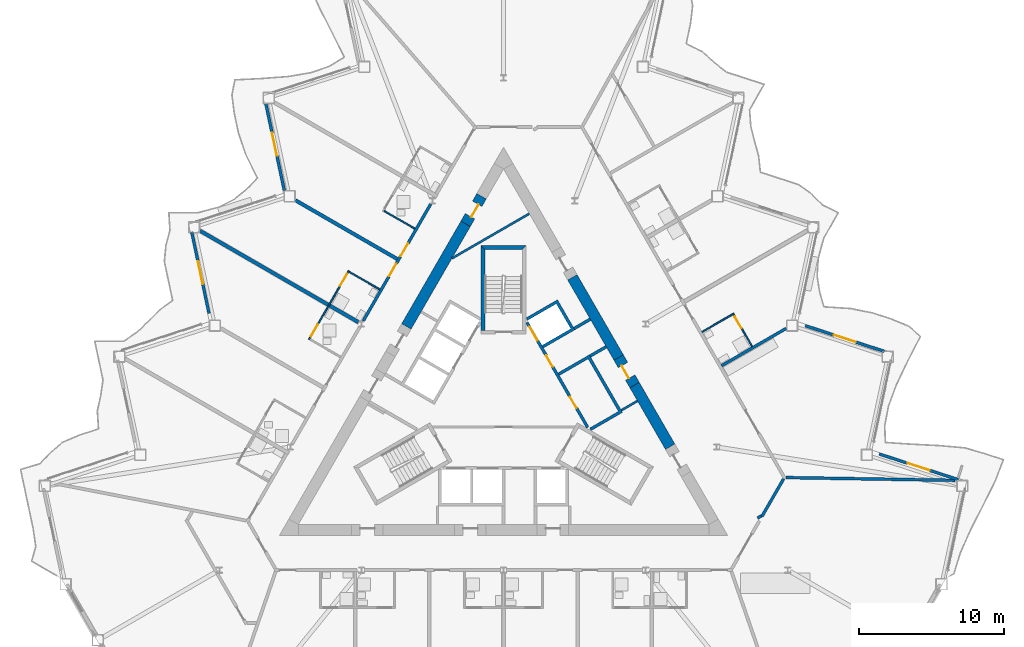
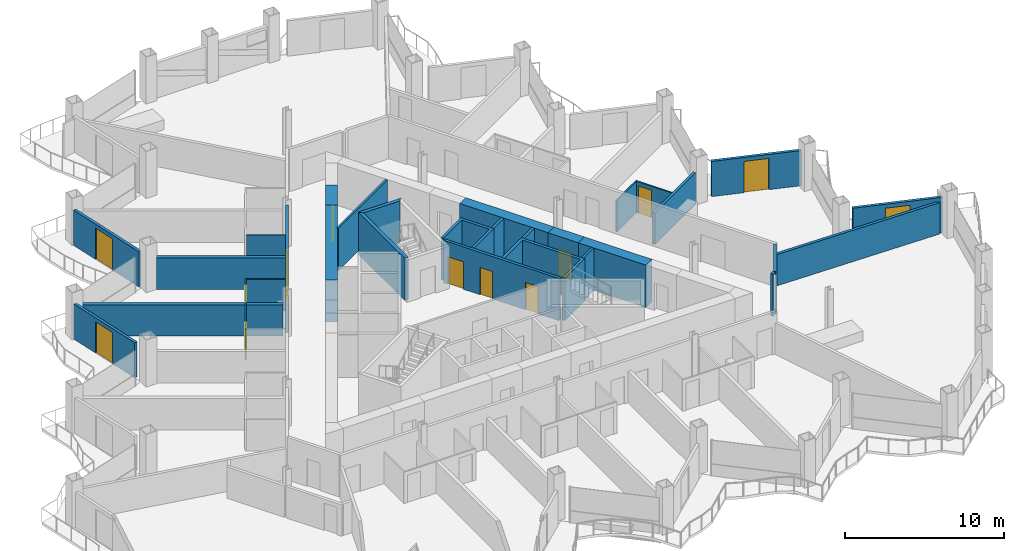
# One storey, part 13 of 23: 30 walls, 14 doors, 14 openings.
"""IFC4 building model written with IfcOpenShell, lengths in metres."""

from ifc_helpers import new_model, si_unit, direction, frame, frame_2d, origin, place, context, subcontext, project, spatial, polyline, rectangle, outline, extrude, material, layer, layer_set, type_object, element, fill, save


model = new_model("IFC4")

# Units and contexts
model_context = context("Model", 3, precision=1e-05, world=origin(), true_north=direction((0.0, 1.0)))
body_context = subcontext(model_context, "Body", "Model", "MODEL_VIEW")
ifc_project = project(units=[si_unit("LENGTHUNIT", "METRE"), si_unit("AREAUNIT", "SQUARE_METRE"), si_unit("VOLUMEUNIT", "CUBIC_METRE"), si_unit("PLANEANGLEUNIT", "RADIAN"), si_unit("MASSUNIT", "GRAM", prefix="KILO")], contexts=[model_context])

# Site, building, storey
site_placement = place(None, origin())
site = spatial("IfcSite", under=ifc_project, at=site_placement, CompositionType="ELEMENT")
building_placement = place(site_placement, origin())
building = spatial("IfcBuilding", under=site, at=building_placement, Name="Cormorant Prow Tower", CompositionType="ELEMENT")
storey_placement = place(building_placement, frame((0.0, 0.0, 183.60009765625)))
storey = spatial("IfcBuildingStorey", under=building, at=storey_placement, Name="L39", CompositionType="ELEMENT", Elevation=183.60009765625)

# Walls
ifc_material_1 = material(Name="Gypsum board partition")
ifc_layer_1 = layer(ifc_material_1, 0.14990234375)
ifc_layer_set_1 = layer_set([ifc_layer_1], Name="Gypsum board partition")
wall_type_1 = type_object("IfcWallType", Name="Core partition 150", PredefinedType="PARTITIONING", material=ifc_layer_set_1)
wall_1_placement = place(storey_placement, frame((9.265625, 0.349365234375, 0.0), z_axis=(0.0, 0.0, 1.0), x_axis=(-0.866003189247, -0.500038474733, 0.0)))
element("IfcWall", 1, at=wall_1_placement, inside=storey, type_object=wall_type_1, Name="Service room partition", PredefinedType="PARTITIONING", context=body_context, shape_type="SweptSolid", body=[
    extrude(rectangle(XDim=1.29296875, YDim=0.14990234375, at=frame_2d((0.646484375, 0.0))), origin(), (0.0, 0.0, 1.0), 3.25),
])
wall_2_placement = place(storey_placement, frame((1.78515625, 13.305908203125, 0.0), z_axis=(0.0, 0.0, 1.0), x_axis=(-0.866038319186, -0.499977629202, 0.0)))
element("IfcWall", 2, at=wall_2_placement, inside=storey, type_object=wall_type_1, Name="Service room partition", PredefinedType="PARTITIONING", context=body_context, shape_type="SweptSolid", body=[
    extrude(rectangle(XDim=6.183837890625, YDim=0.14990234375, at=frame_2d((3.091796875, 0.0))), origin(), (0.0, 0.0, 1.0), 3.25),
])
ifc_material_2 = material(Name="Concrete 8000 psi", Category="concrete")
ifc_layer_2 = layer(ifc_material_2, 0.75)
ifc_layer_set_2 = layer_set([ifc_layer_2], Name="Concrete 8000 psi")
wall_type_2 = type_object("IfcWallType", Name="Core shear wall 750", PredefinedType="SHEAR", material=ifc_layer_set_2)
wall_3_placement = place(storey_placement, frame((7.964111328125, 3.353759765625, 0.0), z_axis=(0.0, 0.0, 1.0), x_axis=(-0.50002928721, 0.866008494146, 0.0)))
element("IfcWall", 3, at=wall_3_placement, inside=storey, type_object=wall_type_2, Name="Core wall", PredefinedType="SHEAR", context=body_context, shape_type="SweptSolid", body=[
    extrude(rectangle(XDim=6.4052734375, YDim=0.75, at=frame_2d((3.20263671875, 0.0))), origin(), (0.0, 0.0, 1.0), 3.25),
])
wall_4_placement = place(storey_placement, frame((11.52685546875, -2.817138671875, 0.0), z_axis=(0.0, 0.0, 1.0), x_axis=(-0.50001992892, 0.866013897511, 0.0)))
element("IfcWall", 4, at=wall_4_placement, inside=storey, type_object=wall_type_2, Name="Core wall", PredefinedType="SHEAR", context=body_context, shape_type="SweptSolid", body=[
    extrude(rectangle(XDim=4.925537109375, YDim=0.75, at=frame_2d((2.462890625, 0.0))), origin(), (0.0, 0.0, 1.0), 3.25),
])
wall_5_placement = place(storey_placement, frame((-2.622314453125, 12.605712890625, 0.0), z_axis=(0.0, 0.0, 1.0), x_axis=(-0.500014611105, -0.866016967894, 0.0)))
element("IfcWall", 5, at=wall_5_placement, inside=storey, type_object=wall_type_2, Name="Core wall", PredefinedType="SHEAR", context=body_context, shape_type="SweptSolid", body=[
    extrude(rectangle(XDim=8.197998046875, YDim=0.75, at=frame_2d((4.09912109375, 0.0))), origin(), (0.0, 0.0, 1.0), 3.25),
])

# Wall, opening, door
wall_6_placement = place(storey_placement, frame((9.064208984375, 1.448486328125, 0.0), z_axis=(0.0, 0.0, 1.0), x_axis=(-0.50002983664, 0.866008176907, 0.0)))
wall_6 = element("IfcWall", 6, at=wall_6_placement, inside=storey, type_object=wall_type_2, Name="Core wall door panel", PredefinedType="SHEAR", context=body_context, shape_type="SweptSolid", body=[
    extrude(rectangle(XDim=2.199951171875, YDim=0.75, at=frame_2d((1.10009765625, 0.0))), origin(), (0.0, 0.0, 1.0), 3.25),
])
opening_1_placement = place(wall_6_placement, frame((0.60009765625, 0.0, 0.0)))
opening_1 = element("IfcOpeningElement", 7, at=opening_1_placement, cuts=wall_6, Name="Opening L39-C18", PredefinedType="OPENING", context=body_context, shape_type="SweptSolid", body=[
    extrude(rectangle(XDim=1.0, YDim=2.10009765625, at=frame_2d((0.5, 1.050048828125))), frame((0.0, 0.385009765625, 0.0), z_axis=(0.0, -1.0, 0.0), x_axis=(1.0, 0.0, 0.0)), (0.0, 0.0, 1.0), 0.77001953125),
])
ifc_material_3 = material(Name="Painted steel", Category="steel")
door_type_1 = type_object("IfcDoorType", Name="Service door 1000x2100", OperationType="NOTDEFINED", PredefinedType="DOOR", material=ifc_material_3)
door_1_placement = place(opening_1_placement, origin())
door_1 = element("IfcDoor", 8, at=door_1_placement, inside=storey, type_object=door_type_1, Name="Core door, Housekeeping store", OperationType="SINGLE_SWING_LEFT", OverallHeight=2.10009765625, OverallWidth=1.0, PredefinedType="DOOR", context=body_context, shape_type="SweptSolid", body=[
    extrude(rectangle(XDim=1.0, YDim=2.10009765625, at=frame_2d((0.5, 1.050048828125))), frame((0.0, 0.1298828125, 0.0), z_axis=(0.0, -1.0, 0.0), x_axis=(1.0, 0.0, 0.0)), (0.0, 0.0, 1.0), 0.050048828125),
])
fill(opening_1, door_1)

wall_7_placement = place(storey_placement, frame((-1.5224609375, 14.510986328125, 0.0), z_axis=(0.0, 0.0, 1.0), x_axis=(-0.499946605688, -0.86605622881, 0.0)))
wall_7 = element("IfcWall", 9, at=wall_7_placement, inside=storey, type_object=wall_type_2, Name="Core wall door panel", PredefinedType="SHEAR", context=body_context, shape_type="SweptSolid", body=[
    extrude(rectangle(XDim=2.199951171875, YDim=0.75, at=frame_2d((1.10009765625, 0.0))), origin(), (0.0, 0.0, 1.0), 3.25),
])
opening_2_placement = place(wall_7_placement, frame((0.60009765625, 0.0, 0.0)))
opening_2 = element("IfcOpeningElement", 10, at=opening_2_placement, cuts=wall_7, Name="Opening L39-C21", PredefinedType="OPENING", context=body_context, shape_type="SweptSolid", body=[
    extrude(rectangle(XDim=1.0, YDim=2.10009765625, at=frame_2d((0.5, 1.050048828125))), frame((0.0, 0.385009765625, 0.0), z_axis=(0.0, -1.0, 0.0), x_axis=(1.0, 0.0, 0.0)), (0.0, 0.0, 1.0), 0.77001953125),
])
door_2_placement = place(opening_2_placement, origin())
door_2 = element("IfcDoor", 11, at=door_2_placement, inside=storey, type_object=door_type_1, Name="Core door, Refuse store", OperationType="SINGLE_SWING_RIGHT", OverallHeight=2.10009765625, OverallWidth=1.0, PredefinedType="DOOR", context=body_context, shape_type="SweptSolid", body=[
    extrude(rectangle(XDim=1.0, YDim=2.10009765625, at=frame_2d((0.5, 1.050048828125))), frame((0.0, 0.1298828125, 0.0), z_axis=(0.0, -1.0, 0.0), x_axis=(1.0, 0.0, 0.0)), (0.0, 0.0, 1.0), 0.050048828125),
])
fill(opening_2, door_2)

# Wall, openings, doors
ifc_material_4 = material(Name="Gypsum board corridor wall")
ifc_layer_3 = layer(ifc_material_4, 0.199951171875)
ifc_layer_set_3 = layer_set([ifc_layer_3], Name="Gypsum board corridor wall")
wall_type_3 = type_object("IfcWallType", Name="Corridor wall 200", PredefinedType="PARTITIONING", material=ifc_layer_set_3)
wall_8_placement = place(storey_placement, frame((-9.705078125, 5.88818359375, 0.0), z_axis=(0.0, 0.0, 1.0), x_axis=(0.50000393355, 0.866023132736, 0.0)))
wall_8 = element("IfcWall", 12, at=wall_8_placement, inside=storey, type_object=wall_type_3, Name="Corridor wall", PredefinedType="PARTITIONING", context=body_context, shape_type="SweptSolid", body=[
    extrude(rectangle(XDim=9.3349609375, YDim=0.199951171875, at=frame_2d((4.66748046875, 0.0))), origin(), (0.0, 0.0, 1.0), 3.25),
])
opening_3_placement = place(wall_8_placement, frame((5.171875, 0.0, 0.0)))
opening_3 = element("IfcOpeningElement", 13, at=opening_3_placement, cuts=wall_8, Name="Opening L39-F26", PredefinedType="OPENING", context=body_context, shape_type="SweptSolid", body=[
    extrude(rectangle(XDim=1.0, YDim=2.10009765625, at=frame_2d((0.5, 1.050048828125))), frame((0.0, 0.10986328125, 0.0), z_axis=(0.0, -1.0, 0.0), x_axis=(1.0, 0.0, 0.0)), (0.0, 0.0, 1.0), 0.219970703125),
])
opening_4_placement = place(wall_8_placement, frame((3.564697265625, 0.0, 0.0)))
opening_4 = element("IfcOpeningElement", 14, at=opening_4_placement, cuts=wall_8, Name="Opening L39-F28", PredefinedType="OPENING", context=body_context, shape_type="SweptSolid", body=[
    extrude(rectangle(XDim=1.0, YDim=2.10009765625, at=frame_2d((0.5, 1.050048828125))), frame((0.0, 0.10986328125, 0.0), z_axis=(0.0, -1.0, 0.0), x_axis=(1.0, 0.0, 0.0)), (0.0, 0.0, 1.0), 0.219970703125),
])
ifc_material_5 = material(Name="Timber door leaf", Category="wood")
door_type_2 = type_object("IfcDoorType", Name="Flat or room entrance door 1000x2100", OperationType="NOTDEFINED", PredefinedType="DOOR", material=ifc_material_5)
door_3_placement = place(opening_3_placement, origin())
door_3 = element("IfcDoor", 15, at=door_3_placement, inside=storey, type_object=door_type_2, Name="Guest room door", OperationType="SINGLE_SWING_LEFT", OverallHeight=2.10009765625, OverallWidth=1.0, PredefinedType="DOOR", context=body_context, shape_type="SweptSolid", body=[
    extrude(rectangle(XDim=1.0, YDim=2.10009765625, at=frame_2d((0.5, 1.050048828125))), frame((0.0, 0.02490234375, 0.0), z_axis=(0.0, -1.0, 0.0), x_axis=(1.0, 0.0, 0.0)), (0.0, 0.0, 1.0), 0.050048828125),
])
fill(opening_3, door_3)
door_4_placement = place(opening_4_placement, origin())
door_4 = element("IfcDoor", 16, at=door_4_placement, inside=storey, type_object=door_type_2, Name="Guest room door", OperationType="SINGLE_SWING_RIGHT", OverallHeight=2.10009765625, OverallWidth=1.0, PredefinedType="DOOR", context=body_context, shape_type="SweptSolid", body=[
    extrude(rectangle(XDim=1.0, YDim=2.10009765625, at=frame_2d((0.5, 1.050048828125))), frame((0.0, 0.02490234375, 0.0), z_axis=(0.0, -1.0, 0.0), x_axis=(1.0, 0.0, 0.0)), (0.0, 0.0, 1.0), 0.050048828125),
])
fill(opening_4, door_4)

# Walls
wall_9_placement = place(storey_placement, frame((17.875, -7.635498046875, 0.0), z_axis=(0.0, 0.0, 1.0), x_axis=(0.499952404951, 0.866052881055, 0.0)))
element("IfcWall", 17, at=wall_9_placement, inside=storey, type_object=wall_type_3, Name="Corridor wall", PredefinedType="PARTITIONING", context=body_context, shape_type="SweptSolid", body=[
    extrude(rectangle(XDim=3.002197265625, YDim=0.199951171875, at=frame_2d((1.5009765625, 0.0))), origin(), (0.0, 0.0, 1.0), 3.25),
])
wall_10_placement = place(storey_placement, frame((17.56982421875, -7.75390625, 0.0), z_axis=(0.0, 0.0, 1.0), x_axis=(0.866054481515, 0.499949632511, 0.0)))
element("IfcWall", 18, at=wall_10_placement, inside=storey, type_object=wall_type_3, Name="Corridor wall", PredefinedType="PARTITIONING", context=body_context, shape_type="SweptSolid", body=[
    extrude(rectangle(XDim=0.31005859375, YDim=0.199951171875, at=frame_2d((0.155029296875, 0.0))), origin(), (0.0, 0.0, 1.0), 3.25),
])
ifc_material_6 = material(Name="Gypsum board demising wall")
ifc_layer_4 = layer(ifc_material_6, 0.199951171875)
ifc_layer_set_4 = layer_set([ifc_layer_4], Name="Gypsum board demising wall")
wall_type_4 = type_object("IfcWallType", Name="Demising wall 200", PredefinedType="PARTITIONING", material=ifc_layer_set_4)
wall_11_placement = place(storey_placement, frame((19.52587890625, -4.950439453125, 0.0), z_axis=(0.0, 0.0, 1.0), x_axis=(0.99986514458, -0.016422321819, 0.0)))
element("IfcWall", 19, at=wall_11_placement, inside=storey, type_object=wall_type_4, Name="Demising wall", PredefinedType="PARTITIONING", context=body_context, shape_type="SweptSolid", body=[
    extrude(rectangle(XDim=11.714599609375, YDim=0.199951171875, at=frame_2d((5.857421875, 0.0))), origin(), (0.0, 0.0, 1.0), 2.404052734375),
])
wall_12_placement = place(storey_placement, frame((15.07666015625, 2.7841796875, 0.0), z_axis=(0.0, 0.0, 1.0), x_axis=(0.866020469142, 0.500008546953, 0.0)))
element("IfcWall", 20, at=wall_12_placement, inside=storey, type_object=wall_type_4, Name="Demising wall", PredefinedType="PARTITIONING", context=body_context, shape_type="SweptSolid", body=[
    extrude(rectangle(XDim=5.1708984375, YDim=0.199951171875, at=frame_2d((2.58544921875, 0.0))), origin(), (0.0, 0.0, 1.0), 2.404052734375),
])

# Wall, openings, doors
ifc_material_7 = material(Name="Gypsum board partition")
ifc_layer_5 = layer(ifc_material_7, 0.10009765625)
ifc_layer_set_5 = layer_set([ifc_layer_5], Name="Gypsum board partition")
wall_type_5 = type_object("IfcWallType", Name="Internal partition 100", PredefinedType="PARTITIONING", material=ifc_layer_set_5)
wall_13_placement = place(storey_placement, frame((-13.455078125, 4.593017578125, 0.0), z_axis=(0.0, 0.0, 1.0), x_axis=(0.500015767406, 0.866016300277, 0.0)))
wall_13 = element("IfcWall", 21, at=wall_13_placement, inside=storey, type_object=wall_type_5, Name="Internal partition", PredefinedType="PARTITIONING", context=body_context, shape_type="SweptSolid", body=[
    extrude(rectangle(XDim=5.499755859375, YDim=0.10009765625, at=frame_2d((2.75, 0.0))), origin(), (0.0, 0.0, 1.0), 2.404052734375),
])
opening_5_placement = place(wall_13_placement, frame((4.300048828125, 0.0, 0.0)))
opening_5 = element("IfcOpeningElement", 22, at=opening_5_placement, cuts=wall_13, Name="Opening L39-F29", PredefinedType="OPENING", context=body_context, shape_type="SweptSolid", body=[
    extrude(rectangle(XDim=0.949951171875, YDim=2.10009765625, at=frame_2d((0.47509765625, 1.050048828125))), frame((0.0, 0.06005859375, 0.0), z_axis=(0.0, -1.0, 0.0), x_axis=(1.0, 0.0, 0.0)), (0.0, 0.0, 1.0), 0.1201171875),
])
opening_6_placement = place(wall_13_placement, frame((0.25, 0.0, 0.0)))
opening_6 = element("IfcOpeningElement", 23, at=opening_6_placement, cuts=wall_13, Name="Opening L39-F31", PredefinedType="OPENING", context=body_context, shape_type="SweptSolid", body=[
    extrude(rectangle(XDim=0.949951171875, YDim=2.10009765625, at=frame_2d((0.47509765625, 1.050048828125))), frame((0.0, 0.06005859375, 0.0), z_axis=(0.0, -1.0, 0.0), x_axis=(1.0, 0.0, 0.0)), (0.0, 0.0, 1.0), 0.1201171875),
])
ifc_material_8 = material(Name="Timber door leaf", Category="wood")
door_type_3 = type_object("IfcDoorType", Name="Bathroom door 950x2100", OperationType="NOTDEFINED", PredefinedType="DOOR", material=ifc_material_8)
door_5_placement = place(opening_5_placement, origin())
door_5 = element("IfcDoor", 24, at=door_5_placement, inside=storey, type_object=door_type_3, Name="Guest room door", OperationType="SINGLE_SWING_RIGHT", OverallHeight=2.10009765625, OverallWidth=0.949951171875, PredefinedType="DOOR", context=body_context, shape_type="SweptSolid", body=[
    extrude(rectangle(XDim=0.949951171875, YDim=2.10009765625, at=frame_2d((0.47509765625, 1.050048828125))), frame((0.0, 0.02490234375, 0.0), z_axis=(0.0, -1.0, 0.0), x_axis=(1.0, 0.0, 0.0)), (0.0, 0.0, 1.0), 0.050048828125),
])
fill(opening_5, door_5)
door_6_placement = place(opening_6_placement, origin())
door_6 = element("IfcDoor", 25, at=door_6_placement, inside=storey, type_object=door_type_3, Name="Guest room door", OperationType="SINGLE_SWING_LEFT", OverallHeight=2.10009765625, OverallWidth=0.949951171875, PredefinedType="DOOR", context=body_context, shape_type="SweptSolid", body=[
    extrude(rectangle(XDim=0.949951171875, YDim=2.10009765625, at=frame_2d((0.47509765625, 1.050048828125))), frame((0.0, 0.02490234375, 0.0), z_axis=(0.0, -1.0, 0.0), x_axis=(1.0, 0.0, 0.0)), (0.0, 0.0, 1.0), 0.050048828125),
])
fill(opening_6, door_6)

# Wall, opening, door
wall_14_placement = place(storey_placement, frame((15.86669921875, 6.415771484375, 0.0), z_axis=(0.0, 0.0, 1.0), x_axis=(0.500062700197, -0.865989200783, 0.0)))
wall_14 = element("IfcWall", 26, at=wall_14_placement, inside=storey, type_object=wall_type_5, Name="Internal partition", PredefinedType="PARTITIONING", context=body_context, shape_type="SweptSolid", body=[
    extrude(rectangle(XDim=2.650146484375, YDim=0.10009765625, at=frame_2d((1.3251953125, 0.0))), origin(), (0.0, 0.0, 1.0), 2.404052734375),
])
opening_7_placement = place(wall_14_placement, frame((0.25, 0.0, 0.0)))
opening_7 = element("IfcOpeningElement", 27, at=opening_7_placement, cuts=wall_14, Name="Opening L39-F16", PredefinedType="OPENING", context=body_context, shape_type="SweptSolid", body=[
    extrude(rectangle(XDim=0.949951171875, YDim=2.10009765625, at=frame_2d((0.47509765625, 1.050048828125))), frame((0.0, 0.06005859375, 0.0), z_axis=(0.0, -1.0, 0.0), x_axis=(1.0, 0.0, 0.0)), (0.0, 0.0, 1.0), 0.1201171875),
])
door_7_placement = place(opening_7_placement, origin())
door_7 = element("IfcDoor", 28, at=door_7_placement, inside=storey, type_object=door_type_3, Name="Guest room door", OperationType="SINGLE_SWING_LEFT", OverallHeight=2.10009765625, OverallWidth=0.949951171875, PredefinedType="DOOR", context=body_context, shape_type="SweptSolid", body=[
    extrude(rectangle(XDim=0.949951171875, YDim=2.10009765625, at=frame_2d((0.47509765625, 1.050048828125))), frame((0.0, 0.02490234375, 0.0), z_axis=(0.0, -1.0, 0.0), x_axis=(1.0, 0.0, 0.0)), (0.0, 0.0, 1.0), 0.050048828125),
])
fill(opening_7, door_7)

# Walls
wall_15_placement = place(storey_placement, frame((-8.259765625, 13.49169921875, 0.0), z_axis=(0.0, 0.0, 1.0), x_axis=(0.866014668023, -0.500018594424, 0.0)))
element("IfcWall", 29, at=wall_15_placement, inside=storey, type_object=wall_type_5, Name="Internal partition", PredefinedType="PARTITIONING", context=body_context, shape_type="SweptSolid", body=[
    extrude(rectangle(XDim=2.4501953125, YDim=0.10009765625, at=frame_2d((1.22509765625, 0.0))), origin(), (0.0, 0.0, 1.0), 2.404052734375),
])
for number, where, z_axis, x_axis, name in (
    (30, (13.726806640625, 5.12255859375, 0.0), (0.0, 0.0, 1.0), (0.866032905446, 0.499987006516, 0.0), "Internal partition"),
    (31, (-10.686767578125, 9.28759765625, 0.0), (0.0, 0.0, 1.0), (0.866032905446, -0.499987006516, 0.0), "Internal partition"),
):
    element("IfcWall", number, at=place(storey_placement, frame(where, z_axis=z_axis, x_axis=x_axis)), inside=storey, type_object=wall_type_5, Name=name, PredefinedType="PARTITIONING", context=body_context, shape_type="SweptSolid", body=[
        extrude(rectangle(XDim=2.44970703125, YDim=0.10009765625, at=frame_2d((1.224853515625, 0.0))), origin(), (0.0, 0.0, 1.0), 2.404052734375),
    ])

# Wall, openings, doors
ifc_material_9 = material(Name="Concrete 5000 psi", Category="concrete")
ifc_layer_6 = layer(ifc_material_9, 0.199951171875)
ifc_layer_set_6 = layer_set([ifc_layer_6], Name="Concrete 5000 psi")
wall_type_6 = type_object("IfcWallType", Name="Lift lobby wall 200", PredefinedType="SOLIDWALL", material=ifc_layer_set_6)
wall_16_placement = place(storey_placement, frame((5.817138671875, -1.4755859375, 0.0), z_axis=(0.0, 0.0, 1.0), x_axis=(-0.500002616675, 0.866023893041, 0.0)))
wall_16 = element("IfcWall", 32, at=wall_16_placement, inside=storey, type_object=wall_type_6, Name="Lift lobby wall, ENE block", PredefinedType="SOLIDWALL", context=body_context, shape_type="SweptSolid", body=[
    extrude(rectangle(XDim=8.373046875, YDim=0.199951171875, at=frame_2d((4.1865234375, 0.0))), origin(), (0.0, 0.0, 1.0), 3.25),
])
opening_8_placement = place(wall_16_placement, frame((1.53662109375, 0.0, 0.0)))
opening_8 = element("IfcOpeningElement", 33, at=opening_8_placement, cuts=wall_16, Name="Opening L39-C05", PredefinedType="OPENING", context=body_context, shape_type="SweptSolid", body=[
    extrude(rectangle(XDim=0.89990234375, YDim=2.10009765625, at=frame_2d((0.449951171875, 1.050048828125))), frame((0.0, 0.10986328125, 0.0), z_axis=(0.0, -1.0, 0.0), x_axis=(1.0, 0.0, 0.0)), (0.0, 0.0, 1.0), 0.219970703125),
])
opening_9_placement = place(wall_16_placement, frame((4.836669921875, 0.0, 0.0)))
opening_9 = element("IfcOpeningElement", 34, at=opening_9_placement, cuts=wall_16, Name="Opening L39-C06", PredefinedType="OPENING", context=body_context, shape_type="SweptSolid", body=[
    extrude(rectangle(XDim=0.89990234375, YDim=2.10009765625, at=frame_2d((0.449951171875, 1.050048828125))), frame((0.0, 0.10986328125, 0.0), z_axis=(0.0, -1.0, 0.0), x_axis=(1.0, 0.0, 0.0)), (0.0, 0.0, 1.0), 0.219970703125),
])
opening_10_placement = place(wall_16_placement, frame((6.9365234375, 0.0, 0.0)))
opening_10 = element("IfcOpeningElement", 35, at=opening_10_placement, cuts=wall_16, Name="Opening L39-C07", PredefinedType="OPENING", context=body_context, shape_type="SweptSolid", body=[
    extrude(rectangle(XDim=1.10009765625, YDim=2.10009765625, at=frame_2d((0.550048828125, 1.050048828125))), frame((0.0, 0.10986328125, 0.0), z_axis=(0.0, -1.0, 0.0), x_axis=(1.0, 0.0, 0.0)), (0.0, 0.0, 1.0), 0.219970703125),
])
ifc_material_10 = material(Name="Painted steel", Category="steel")
door_type_4 = type_object("IfcDoorType", Name="Lift landing door 1100x2100", OperationType="SLIDING_TO_LEFT", PredefinedType="DOOR", material=ifc_material_10)
door_8_placement = place(opening_10_placement, origin())
door_8 = element("IfcDoor", 36, at=door_8_placement, inside=storey, type_object=door_type_4, Name="Landing door MR1", OperationType="SLIDING_TO_LEFT", OverallHeight=2.10009765625, OverallWidth=1.10009765625, PredefinedType="DOOR", context=body_context, shape_type="SweptSolid", body=[
    extrude(rectangle(XDim=1.10009765625, YDim=2.10009765625, at=frame_2d((0.550048828125, 1.050048828125))), frame((0.0, 0.02490234375, 0.0), z_axis=(0.0, -1.0, 0.0), x_axis=(1.0, 0.0, 0.0)), (0.0, 0.0, 1.0), 0.050048828125),
])
fill(opening_10, door_8)
ifc_material_11 = material(Name="Painted steel", Category="steel")
door_type_5 = type_object("IfcDoorType", Name="Service door 900x2100", OperationType="NOTDEFINED", PredefinedType="DOOR", material=ifc_material_11)
door_9_placement = place(opening_8_placement, origin())
door_9 = element("IfcDoor", 37, at=door_9_placement, inside=storey, type_object=door_type_5, Name="Service door, Refuse store", OperationType="SINGLE_SWING_LEFT", OverallHeight=2.10009765625, OverallWidth=0.89990234375, PredefinedType="DOOR", context=body_context, shape_type="SweptSolid", body=[
    extrude(rectangle(XDim=0.89990234375, YDim=2.10009765625, at=frame_2d((0.449951171875, 1.050048828125))), frame((0.0, 0.02490234375, 0.0), z_axis=(0.0, -1.0, 0.0), x_axis=(1.0, 0.0, 0.0)), (0.0, 0.0, 1.0), 0.050048828125),
])
fill(opening_8, door_9)
door_10_placement = place(opening_9_placement, origin())
door_10 = element("IfcDoor", 38, at=door_10_placement, inside=storey, type_object=door_type_5, Name="Service door, Telecom room", OperationType="SINGLE_SWING_RIGHT", OverallHeight=2.10009765625, OverallWidth=0.89990234375, PredefinedType="DOOR", context=body_context, shape_type="SweptSolid", body=[
    extrude(rectangle(XDim=0.89990234375, YDim=2.10009765625, at=frame_2d((0.449951171875, 1.050048828125))), frame((0.0, 0.02490234375, 0.0), z_axis=(0.0, -1.0, 0.0), x_axis=(1.0, 0.0, 0.0)), (0.0, 0.0, 1.0), 0.050048828125),
])
fill(opening_9, door_10)

# Walls
ifc_material_12 = material(Name="Concrete 8000 psi", Category="concrete")
ifc_layer_7 = layer(ifc_material_12, 0.199951171875)
ifc_layer_set_7 = layer_set([ifc_layer_7], Name="Concrete 8000 psi")
wall_type_7 = type_object("IfcWallType", Name="Lift shaft wall 200", PredefinedType="SHEAR", material=ifc_layer_set_7)
wall_17_placement = place(storey_placement, origin())
element("IfcWall", 39, at=wall_17_placement, inside=storey, type_object=wall_type_7, Name="Lift shaft walls, ENE block", PredefinedType="SHEAR", context=body_context, shape_type="SweptSolid", body=[
    extrude(outline(polyline([(1.560546875, 6.09716796875), (3.730712890625, 7.35009765625), (4.930908203125, 5.271728515625), (2.760498046875, 4.018798828125), (2.660400390625, 4.19189453125), (4.65234375, 5.341796875), (3.65234375, 7.073974609375), (1.660400390625, 5.923828125), (1.560546875, 6.09716796875)])), origin(), (0.0, 0.0, 1.0), 3.25),
])
wall_18_placement = place(storey_placement, origin())
element("IfcWall", 40, at=wall_18_placement, inside=storey, type_object=wall_type_7, Name="Lift shaft walls, ENE block", PredefinedType="SHEAR", context=body_context, shape_type="SweptSolid", body=[
    extrude(outline(polyline([(3.760498046875, 2.28662109375), (5.930908203125, 3.53955078125), (8.230712890625, -0.444091796875), (6.060546875, -1.697021484375), (5.96044921875, -1.52392578125), (7.952392578125, -0.373779296875), (5.852294921875, 3.263427734375), (3.860595703125, 2.11328125), (3.760498046875, 2.28662109375)])), origin(), (0.0, 0.0, 1.0), 3.25),
])
wall_19_placement = place(storey_placement, frame((5.980712890625, 3.452880859375, 0.0), z_axis=(0.0, 0.0, 1.0), x_axis=(0.865968639725, 0.500098305348, 0.0)))
element("IfcWall", 41, at=wall_19_placement, inside=storey, type_object=wall_type_7, Name="Store side wall", PredefinedType="SHEAR", context=body_context, shape_type="SweptSolid", body=[
    extrude(rectangle(XDim=1.293212890625, YDim=0.199951171875, at=frame_2d((0.646484375, 0.0))), origin(), (0.0, 0.0, 1.0), 3.25),
])
wall_20_placement = place(storey_placement, frame((4.880859375, 5.3583984375, 0.0), z_axis=(0.0, 0.0, 1.0), x_axis=(0.866084958089, 0.499896834728, 0.0)))
element("IfcWall", 42, at=wall_20_placement, inside=storey, type_object=wall_type_7, Name="Store side wall", PredefinedType="SHEAR", context=body_context, shape_type="SweptSolid", body=[
    extrude(rectangle(XDim=1.292724609375, YDim=0.199951171875, at=frame_2d((0.646484375, 0.0))), origin(), (0.0, 0.0, 1.0), 3.25),
])
ifc_material_13 = material(Name="Concrete 8000 psi", Category="concrete")
ifc_layer_8 = layer(ifc_material_13, 0.25)
ifc_layer_set_8 = layer_set([ifc_layer_8], Name="Concrete 8000 psi")
wall_type_8 = type_object("IfcWallType", Name="Stair wall 250", PredefinedType="SHEAR", material=ifc_layer_set_8)
wall_21_placement = place(storey_placement, origin())
element("IfcWall", 43, at=wall_21_placement, inside=storey, type_object=wall_type_8, Name="Stair ST3 enclosure wall (end)", PredefinedType="SHEAR", context=body_context, shape_type="SweptSolid", body=[
    extrude(outline(polyline([(1.5439453125, 11.0869140625), (-1.5439453125, 11.0869140625), (-1.2939453125, 10.8369140625), (1.2939453125, 10.8369140625), (1.5439453125, 11.0869140625)])), origin(), (0.0, 0.0, 1.0), 3.25),
])
wall_22_placement = place(storey_placement, origin())
element("IfcWall", 44, at=wall_22_placement, inside=storey, type_object=wall_type_8, Name="Stair ST3 enclosure wall (flank)", PredefinedType="SHEAR", context=body_context, shape_type="SweptSolid", body=[
    extrude(outline(polyline([(-1.2939453125, 10.8369140625), (-1.5439453125, 11.0869140625), (-1.5439453125, 5.23681640625), (-1.2939453125, 5.23681640625), (-1.2939453125, 10.8369140625)])), origin(), (0.0, 0.0, 1.0), 3.25),
])
ifc_material_14 = material(Name="Acoustic gypsum party wall")
ifc_layer_9 = layer(ifc_material_14, 0.25)
ifc_layer_set_9 = layer_set([ifc_layer_9], Name="Acoustic gypsum party wall")
wall_type_9 = type_object("IfcWallType", Name="Suite party wall 250", PredefinedType="PARTITIONING", material=ifc_layer_set_9)
wall_23_placement = place(storey_placement, frame((-20.99951171875, 12.1240234375, 0.0), z_axis=(0.0, 0.0, 1.0), x_axis=(0.866025883649, -0.499999168849, 0.0)))
element("IfcWall", 45, at=wall_23_placement, inside=storey, type_object=wall_type_9, Name="Suite party wall", PredefinedType="PARTITIONING", context=body_context, shape_type="SweptSolid", body=[
    extrude(rectangle(XDim=12.65234375, YDim=0.25, at=frame_2d((6.326171875, 0.0))), origin(), (0.0, 0.0, 1.0), 2.404052734375),
])
wall_24_placement = place(storey_placement, frame((-14.389892578125, 14.228271484375, 0.0), z_axis=(0.0, 0.0, 1.0), x_axis=(0.866031008936, -0.499990291468, 0.0)))
element("IfcWall", 46, at=wall_24_placement, inside=storey, type_object=wall_type_9, Name="Suite party wall", PredefinedType="PARTITIONING", context=body_context, shape_type="SweptSolid", body=[
    extrude(rectangle(XDim=8.127197265625, YDim=0.25, at=frame_2d((4.0634765625, 0.0))), origin(), (0.0, 0.0, 1.0), 2.404052734375),
])

# Wall, opening, door
ifc_material_15 = material(Name="Terracotta", Category="masonry")
ifc_layer_10 = layer(ifc_material_15, 0.199951171875)
ifc_layer_set_10 = layer_set([ifc_layer_10], Name="Terracotta")
wall_type_10 = type_object("IfcWallType", Name="Terracotta jamb wall 200", PredefinedType="SOLIDWALL", material=ifc_layer_set_10)
wall_25_placement = place(storey_placement, frame((31.470703125, -5.101318359375, 0.0), z_axis=(0.0, 0.0, 1.0), x_axis=(-0.951053678976, 0.30902572661, 0.0)))
wall_25 = element("IfcWall", 47, at=wall_25_placement, inside=storey, type_object=wall_type_10, Name="Terracotta jamb wall ENE01", PredefinedType="SOLIDWALL", context=body_context, shape_type="SweptSolid", body=[
    extrude(rectangle(XDim=5.76318359375, YDim=0.199951171875, at=frame_2d((2.881591796875, 0.0))), origin(), (0.0, 0.0, 1.0), 2.70068359375),
])
opening_11_placement = place(wall_25_placement, frame((2.08154296875, 0.0, 0.0)))
opening_11 = element("IfcOpeningElement", 48, at=opening_11_placement, cuts=wall_25, Name="Opening ED39.06", PredefinedType="OPENING", context=body_context, shape_type="SweptSolid", body=[
    extrude(rectangle(XDim=1.60009765625, YDim=2.39990234375, at=frame_2d((0.800048828125, 1.199951171875))), frame((0.0, 0.10986328125, 0.0), z_axis=(0.0, -1.0, 0.0), x_axis=(1.0, 0.0, 0.0)), (0.0, 0.0, 1.0), 0.219970703125),
])
ifc_material_16 = material(Name="Aluminium 6063-T6", Category="aluminium")
door_type_6 = type_object("IfcDoorType", Name="Balcony door 1600x2400", OperationType="DOUBLE_DOOR_SINGLE_SWING", PredefinedType="DOOR", material=ifc_material_16)
door_11_placement = place(opening_11_placement, origin())
door_11 = element("IfcDoor", 49, at=door_11_placement, inside=storey, type_object=door_type_6, Name="Balcony door ENE01 ED39.06", OperationType="DOUBLE_DOOR_SINGLE_SWING", OverallHeight=2.39990234375, OverallWidth=1.60009765625, PredefinedType="DOOR", context=body_context, shape_type="SweptSolid", body=[
    extrude(rectangle(XDim=1.60009765625, YDim=2.39990234375, at=frame_2d((0.800048828125, 1.199951171875))), frame((0.0, 0.02490234375, 0.0), z_axis=(0.0, -1.0, 0.0), x_axis=(1.0, 0.0, 0.0)), (0.0, 0.0, 1.0), 0.050048828125),
])
fill(opening_11, door_11)

wall_26_placement = place(storey_placement, frame((26.343505859375, 3.779052734375, 0.0), z_axis=(0.0, 0.0, 1.0), x_axis=(-0.951049633358, 0.309038177075, 0.0)))
wall_26 = element("IfcWall", 50, at=wall_26_placement, inside=storey, type_object=wall_type_10, Name="Terracotta jamb wall ENE03", PredefinedType="SOLIDWALL", context=body_context, shape_type="SweptSolid", body=[
    extrude(rectangle(XDim=5.762939453125, YDim=0.199951171875, at=frame_2d((2.88134765625, 0.0))), origin(), (0.0, 0.0, 1.0), 2.70068359375),
])
opening_12_placement = place(wall_26_placement, frame((2.08154296875, 0.0, 0.0)))
opening_12 = element("IfcOpeningElement", 51, at=opening_12_placement, cuts=wall_26, Name="Opening ED39.07", PredefinedType="OPENING", context=body_context, shape_type="SweptSolid", body=[
    extrude(rectangle(XDim=1.60009765625, YDim=2.39990234375, at=frame_2d((0.800048828125, 1.199951171875))), frame((0.0, 0.10986328125, 0.0), z_axis=(0.0, -1.0, 0.0), x_axis=(1.0, 0.0, 0.0)), (0.0, 0.0, 1.0), 0.219970703125),
])
door_12_placement = place(opening_12_placement, origin())
door_12 = element("IfcDoor", 52, at=door_12_placement, inside=storey, type_object=door_type_6, Name="Balcony door ENE03 ED39.07", OperationType="DOUBLE_DOOR_SINGLE_SWING", OverallHeight=2.39990234375, OverallWidth=1.60009765625, PredefinedType="DOOR", context=body_context, shape_type="SweptSolid", body=[
    extrude(rectangle(XDim=1.60009765625, YDim=2.39990234375, at=frame_2d((0.800048828125, 1.199951171875))), frame((0.0, 0.02490234375, 0.0), z_axis=(0.0, -1.0, 0.0), x_axis=(1.0, 0.0, 0.0)), (0.0, 0.0, 1.0), 0.050048828125),
])
fill(opening_12, door_12)

wall_27_placement = place(storey_placement, frame((-16.444580078125, 20.9248046875, 0.0), z_axis=(0.0, 0.0, 1.0), x_axis=(0.20791050027, -0.978147853792, 0.0)))
wall_27 = element("IfcWall", 53, at=wall_27_placement, inside=storey, type_object=wall_type_10, Name="Terracotta jamb wall WNW03", PredefinedType="SOLIDWALL", context=body_context, shape_type="SweptSolid", body=[
    extrude(rectangle(XDim=6.15087890625, YDim=0.199951171875, at=frame_2d((3.075439453125, 0.0))), origin(), (0.0, 0.0, 1.0), 2.70068359375),
])
opening_13_placement = place(wall_27_placement, frame((2.08154296875, 0.0, 0.0)))
opening_13 = element("IfcOpeningElement", 54, at=opening_13_placement, cuts=wall_27, Name="Opening ED39.12", PredefinedType="OPENING", context=body_context, shape_type="SweptSolid", body=[
    extrude(rectangle(XDim=1.60009765625, YDim=2.39990234375, at=frame_2d((0.800048828125, 1.199951171875))), frame((0.0, 0.10986328125, 0.0), z_axis=(0.0, -1.0, 0.0), x_axis=(1.0, 0.0, 0.0)), (0.0, 0.0, 1.0), 0.219970703125),
])
door_13_placement = place(opening_13_placement, origin())
door_13 = element("IfcDoor", 55, at=door_13_placement, inside=storey, type_object=door_type_6, Name="Balcony door WNW03 ED39.12", OperationType="DOUBLE_DOOR_SINGLE_SWING", OverallHeight=2.39990234375, OverallWidth=1.60009765625, PredefinedType="DOOR", context=body_context, shape_type="SweptSolid", body=[
    extrude(rectangle(XDim=1.60009765625, YDim=2.39990234375, at=frame_2d((0.800048828125, 1.199951171875))), frame((0.0, 0.02490234375, 0.0), z_axis=(0.0, -1.0, 0.0), x_axis=(1.0, 0.0, 0.0)), (0.0, 0.0, 1.0), 0.050048828125),
])
fill(opening_13, door_13)

wall_28_placement = place(storey_placement, frame((-21.57177734375, 12.044189453125, 0.0), z_axis=(0.0, 0.0, 1.0), x_axis=(0.207914487103, -0.978147006361, 0.0)))
wall_28 = element("IfcWall", 56, at=wall_28_placement, inside=storey, type_object=wall_type_10, Name="Terracotta jamb wall WNW05", PredefinedType="SOLIDWALL", context=body_context, shape_type="SweptSolid", body=[
    extrude(rectangle(XDim=5.76318359375, YDim=0.199951171875, at=frame_2d((2.881591796875, 0.0))), origin(), (0.0, 0.0, 1.0), 2.70068359375),
])
opening_14_placement = place(wall_28_placement, frame((2.08154296875, 0.0, 0.0)))
opening_14 = element("IfcOpeningElement", 57, at=opening_14_placement, cuts=wall_28, Name="Opening ED39.13", PredefinedType="OPENING", context=body_context, shape_type="SweptSolid", body=[
    extrude(rectangle(XDim=1.60009765625, YDim=2.39990234375, at=frame_2d((0.800048828125, 1.199951171875))), frame((0.0, 0.10986328125, 0.0), z_axis=(0.0, -1.0, 0.0), x_axis=(1.0, 0.0, 0.0)), (0.0, 0.0, 1.0), 0.219970703125),
])
door_14_placement = place(opening_14_placement, origin())
door_14 = element("IfcDoor", 58, at=door_14_placement, inside=storey, type_object=door_type_6, Name="Balcony door WNW05 ED39.13", OperationType="DOUBLE_DOOR_SINGLE_SWING", OverallHeight=2.39990234375, OverallWidth=1.60009765625, PredefinedType="DOOR", context=body_context, shape_type="SweptSolid", body=[
    extrude(rectangle(XDim=1.60009765625, YDim=2.39990234375, at=frame_2d((0.800048828125, 1.199951171875))), frame((0.0, 0.02490234375, 0.0), z_axis=(0.0, -1.0, 0.0), x_axis=(1.0, 0.0, 0.0)), (0.0, 0.0, 1.0), 0.050048828125),
])
fill(opening_14, door_14)

save(model, "model.ifc")
